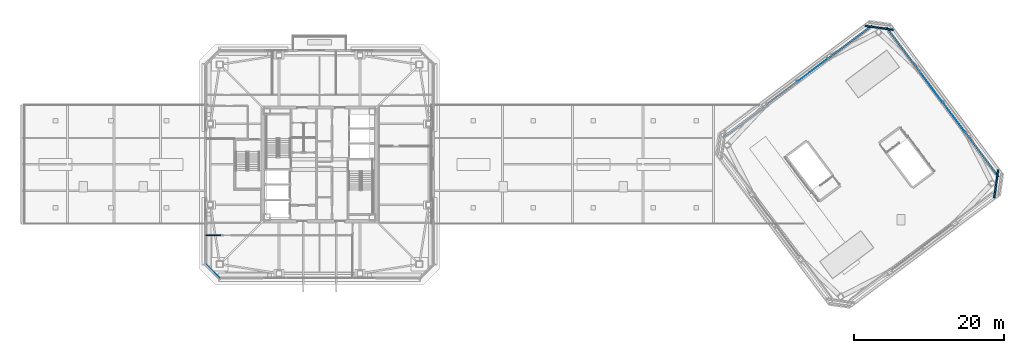
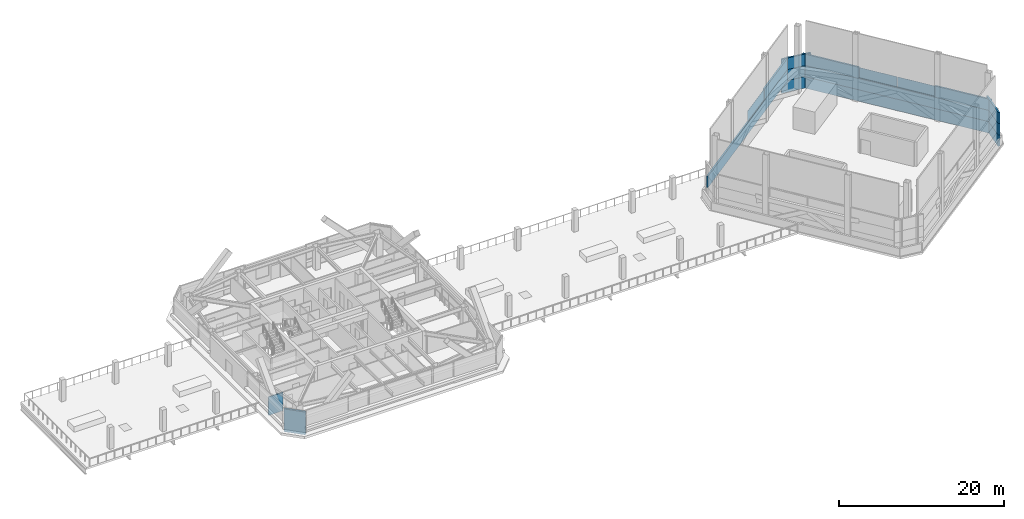
# One storey, part 26 of 37: 15 plates, 2 walls, 2 elements without a shape of their own.
"""IFC4 building model written with IfcOpenShell, lengths in metres."""

import ifcopenshell
import ifcopenshell.guid

model = None  # the IFC model being written
_history = None  # IfcOwnerHistory: only IFC2X3 demands one
_inside = {}  # id of a spatial element -> (the spatial element, [elements in it])
_under = {}  # id of a project, library or spatial element -> (it, [spatial elements below it])
_declared = {}  # id of a project -> (the project, [libraries it declares])
_typed = {}  # id of a type object -> (the type object, [elements of that type])
_made_of = {}  # id of a material, layer set ... -> (it, [elements and type objects made of it])


def new_model(schema):
    """Start an empty IFC model of exactly this schema.

    Asked for "IFC4X3", IfcOpenShell would pick the latest addendum, in which some entities
    have other attributes; the version numbers below select the first issue.
    IFC2X3 requires an IfcOwnerHistory on every rooted entity: one is made here for all.
    """
    global model, _history
    if schema == "IFC4X3":
        model = ifcopenshell.file(schema_version=(4, 3, 0, 0))
    else:
        model = ifcopenshell.file(schema=schema)
    _inside.clear()
    _under.clear()
    _declared.clear()
    _typed.clear()
    _made_of.clear()
    _history = None
    if model.schema == "IFC2X3":
        org = make("IfcOrganization", Name="unknown")
        user = make(
            "IfcPersonAndOrganization",
            ThePerson=make("IfcPerson", FamilyName="unknown"),
            TheOrganization=org,
        )
        app = make(
            "IfcApplication",
            ApplicationDeveloper=org,
            Version="unknown",
            ApplicationFullName="unknown",
            ApplicationIdentifier="unknown",
        )
        _history = make(
            "IfcOwnerHistory",
            OwningUser=user,
            OwningApplication=app,
            ChangeAction="ADDED",
            CreationDate=0,
        )
    return model


def make(cls, **values):
    """One entity of the class cls with the attributes given. An attribute that is None is left unset."""
    return model.create_entity(
        cls, **{name: value for name, value in values.items() if value is not None}
    )


def rooted(cls, **values):
    """An entity with a GlobalId (a new one), such as an element, a storey or a relation."""
    return make(cls, GlobalId=ifcopenshell.guid.new(), OwnerHistory=_history, **values)


def si_unit(unit_type, name, prefix=None):
    """IfcSIUnit, for example si_unit("LENGTHUNIT", "METRE", prefix="MILLI")."""
    return make("IfcSIUnit", UnitType=unit_type, Prefix=prefix, Name=name)


def assignment(units):
    """IfcUnitAssignment: the units of a project."""
    return None if units is None else make("IfcUnitAssignment", Units=units)


def point(xyz):
    """IfcCartesianPoint."""
    return None if xyz is None else make("IfcCartesianPoint", Coordinates=xyz)


def direction(xyz):
    """IfcDirection."""
    return None if xyz is None else make("IfcDirection", DirectionRatios=xyz)


def frame(location, z_axis=None, x_axis=None):
    """IfcAxis2Placement3D, a coordinate frame: its origin and axes. An axis left out is left unset."""
    return make(
        "IfcAxis2Placement3D",
        Location=point(location),
        Axis=direction(z_axis),
        RefDirection=direction(x_axis),
    )


def frame_2d(location, x_axis=None):
    """IfcAxis2Placement2D, a coordinate frame in the plane: its origin and x axis."""
    return make(
        "IfcAxis2Placement2D", Location=point(location), RefDirection=direction(x_axis)
    )


def origin():
    """The frame at (0, 0, 0) with its axes left unset."""
    return frame((0.0, 0.0, 0.0))


def origin_2d():
    """The frame at (0, 0) in the plane with its x axis left unset."""
    return frame_2d((0.0, 0.0))


def place(relative_to, where):
    """IfcLocalPlacement: puts the frame where relative to a parent placement (None: the world)."""
    return make(
        "IfcLocalPlacement", PlacementRelTo=relative_to, RelativePlacement=where
    )


def context(
    kind, dimensions, precision=None, world=None, true_north=None, identifier=None
):
    """IfcGeometricRepresentationContext, for example the 3D "Model" context."""
    return make(
        "IfcGeometricRepresentationContext",
        ContextIdentifier=identifier,
        ContextType=kind,
        CoordinateSpaceDimension=dimensions,
        Precision=precision,
        WorldCoordinateSystem=world,
        TrueNorth=true_north,
    )


def subcontext(parent, identifier, kind, view, scale=None):
    """IfcGeometricRepresentationSubContext, for example "Body" below "Model"."""
    return make(
        "IfcGeometricRepresentationSubContext",
        ContextIdentifier=identifier,
        ContextType=kind,
        ParentContext=parent,
        TargetScale=scale,
        TargetView=view,
    )


def project(units=None, contexts=None):
    """IfcProject with its units and contexts."""
    return rooted(
        "IfcProject",
        Name="project",
        RepresentationContexts=contexts,
        UnitsInContext=assignment(units),
    )


def spatial(cls, under=None, at=None, **own):
    """A site, building, storey or space (cls), placed at a placement, below another one or the project."""
    s = rooted(cls, ObjectPlacement=at, **own)
    if under is not None:
        _under.setdefault(under.id(), (under, []))[1].append(s)
    return s


def profile(cls, at=None, kind="AREA", **sizes):
    """A parametric profile (cls). Its sizes go by their IFC names, for example OverallWidth=200.0."""
    return make(cls, ProfileType=kind, Position=at, **sizes)


def rectangle(**sizes):
    """IfcRectangleProfileDef."""
    return profile("IfcRectangleProfileDef", **sizes)


def extrude(swept, where, along, depth):
    """IfcExtrudedAreaSolid: the profile swept, set in the frame where, extruded along a direction by depth."""
    return make(
        "IfcExtrudedAreaSolid",
        SweptArea=swept,
        Position=where,
        ExtrudedDirection=direction(along),
        Depth=depth,
    )


def shape(context_of_items, identifier, shape_type, items):
    """IfcShapeRepresentation: the items that make up one representation, for example the "Body"."""
    return make(
        "IfcShapeRepresentation",
        ContextOfItems=context_of_items,
        RepresentationIdentifier=identifier,
        RepresentationType=shape_type,
        Items=items,
    )


def material(Name=None, Category=None):
    """IfcMaterial."""
    return make("IfcMaterial", Name=Name, Category=Category)


def layer(
    of_material, thickness, ventilated=None, Name=None, Category=None, Priority=None
):
    """IfcMaterialLayer: one layer of a wall or slab, of a material (None: an air gap)."""
    return make(
        "IfcMaterialLayer",
        Material=of_material,
        LayerThickness=thickness,
        IsVentilated=ventilated,
        Name=Name,
        Category=Category,
        Priority=Priority,
    )


def layer_set(layers, Name=None):
    """IfcMaterialLayerSet."""
    return make("IfcMaterialLayerSet", MaterialLayers=layers, LayerSetName=Name)


def made_of(thing, what):
    """Note that an element or type object is made of a material, layer set ...; save() writes the relation."""
    if what is not None:
        _made_of.setdefault(what.id(), (what, []))[1].append(thing)
    return thing


def type_object(cls, material=None, **own):
    """A type object (cls), such as IfcWallType, which elements share."""
    return made_of(rooted(cls, **own), material)


def element(
    cls,
    number,
    at=None,
    inside=None,
    cuts=None,
    type_object=None,
    material=None,
    context=None,
    identifier="Body",
    shape_type=None,
    held_by="IfcProductDefinitionShape",
    body=None,
    shapes=None,
    **own,
):
    """One element of the class cls, such as IfcWall. Its Tag is "e" and its number.

    at: its placement. inside: the storey or other place that contains it. cuts: it is an
    opening in that element (IfcRelVoidsElement). A single representation is given by context,
    identifier, shape_type and body (its items); several are given by shapes. held_by: the class
    of the entity that holds the representations. save() writes the other relations.
    """
    e = rooted(cls, Tag="e%d" % number, ObjectPlacement=at, **own)
    if body is not None:
        shapes = [shape(context, identifier, shape_type, body)]
    if shapes is not None:
        e.Representation = make(held_by, Representations=shapes)
    if inside is not None:
        _inside.setdefault(inside.id(), (inside, []))[1].append(e)
    if cuts is not None:
        rooted(
            "IfcRelVoidsElement", RelatingBuildingElement=cuts, RelatedOpeningElement=e
        )
    if type_object is not None:
        _typed.setdefault(type_object.id(), (type_object, []))[1].append(e)
    return made_of(e, material)


def aggregate(whole, parts):
    """IfcRelAggregates: a whole, such as a stair, and the parts it consists of."""
    return rooted("IfcRelAggregates", RelatingObject=whole, RelatedObjects=parts)


def save(model, path):
    """Write the relations noted so far, then the file.

    IfcRelAggregates (storeys below a building ...), IfcRelContainedInSpatialStructure (elements
    in a storey), IfcRelDefinesByType, IfcRelAssociatesMaterial and IfcRelDeclares: one each for
    every whole, place, type object, material and project.
    """
    for whole, parts in _under.values():
        aggregate(whole, parts)
    for where, things in _inside.values():
        rooted(
            "IfcRelContainedInSpatialStructure",
            RelatedElements=things,
            RelatingStructure=where,
        )
    for kind, things in _typed.values():
        rooted("IfcRelDefinesByType", RelatedObjects=things, RelatingType=kind)
    for what, things in _made_of.values():
        rooted("IfcRelAssociatesMaterial", RelatedObjects=things, RelatingMaterial=what)
    for by, libraries in _declared.values():
        rooted("IfcRelDeclares", RelatingContext=by, RelatedDefinitions=libraries)
    model.write(path)


model = new_model("IFC4")

# Units and contexts
model_context = context("Model", 3, precision=1e-05, world=origin(), true_north=direction((0.0, 1.0)))
body_context = subcontext(model_context, "Body", "Model", "MODEL_VIEW")
ifc_project = project(units=[si_unit("LENGTHUNIT", "METRE"), si_unit("AREAUNIT", "SQUARE_METRE"), si_unit("VOLUMEUNIT", "CUBIC_METRE"), si_unit("PLANEANGLEUNIT", "RADIAN"), si_unit("MASSUNIT", "GRAM", prefix="KILO")], contexts=[model_context])

# Site, building, storey
site_placement = place(None, origin())
site = spatial("IfcSite", under=ifc_project, at=site_placement, CompositionType="ELEMENT")
building_placement = place(site_placement, origin())
building = spatial("IfcBuilding", under=site, at=building_placement, Name="Tashvorn Skyway Center", CompositionType="ELEMENT")
storey_placement = place(building_placement, frame((0.0, 0.0, 263.39990234375)))
storey = spatial("IfcBuildingStorey", under=building, at=storey_placement, Name="L71", CompositionType="ELEMENT", Elevation=263.39990234375)

# Curtain wall, plates
ifc_material_1 = material(Name="Thermally broken bronze-anodized aluminium 6063-T6", Category="aluminium")
curtain_wall_type = type_object("IfcCurtainWallType", Name="CW-CW-SKY", PredefinedType="NOTDEFINED", material=ifc_material_1)
curtain_wall_1_placement = place(storey_placement, origin())
curtain_wall_1 = element("IfcCurtainWall", 1, at=curtain_wall_1_placement, inside=storey, type_object=curtain_wall_type, Name="CROWN Lantern Fritted Curtain Wall T2 E-3", PredefinedType="NOTDEFINED")
ifc_material_2 = material(Name="Low-E solar-control double insulating safety glass", Category="glass")
ifc_layer_1 = layer(ifc_material_2, 0.028076171875)
ifc_layer_set_1 = layer_set([ifc_layer_1], Name="Low-E solar-control double insulating safety glass")
plate_type_1 = type_object("IfcPlateType", Name="CWP-CW-SKY", PredefinedType="CURTAIN_PANEL", material=ifc_layer_set_1)
plate_1_placement = place(storey_placement, frame((123.55078125, 42.299072265625, 3.39501953125), z_axis=(0.0, 0.0, 1.0), x_axis=(0.600000000002, -0.799999999998, 0.0)))
plate_1 = element("IfcPlate", 2, at=plate_1_placement, type_object=plate_type_1, Name="CW-SKY panel 1.1", PredefinedType="CURTAIN_PANEL", context=body_context, shape_type="SweptSolid", body=[
    extrude(rectangle(XDim=4.952392578125, YDim=0.028076171875, at=origin_2d()), origin(), (0.0, 0.0, 1.0), 1.534912109375),
])
plate_2_placement = place(storey_placement, frame((126.561279296875, 38.284912109375, 3.39501953125), z_axis=(0.0, 0.0, 1.0), x_axis=(0.600000000002, -0.799999999998, 0.0)))
plate_2 = element("IfcPlate", 3, at=plate_2_placement, type_object=plate_type_1, Name="CW-SKY panel 2.1", PredefinedType="CURTAIN_PANEL", context=body_context, shape_type="SweptSolid", body=[
    extrude(rectangle(XDim=4.952392578125, YDim=0.028076171875, at=origin_2d()), origin(), (0.0, 0.0, 1.0), 1.534912109375),
])
aggregate(curtain_wall_1, [plate_1, plate_2])

# Curtain wall, plate
curtain_wall_2_placement = place(storey_placement, origin())
curtain_wall_2 = element("IfcCurtainWall", 4, at=curtain_wall_2_placement, inside=storey, type_object=curtain_wall_type, Name="CROWN Lantern Fritted Curtain Wall T2 N-3", PredefinedType="NOTDEFINED")
plate_3_placement = place(storey_placement, frame((107.715087890625, 44.561279296875, 3.39501953125), z_axis=(0.0, 0.0, 1.0), x_axis=(0.799999999998, 0.600000000002, 0.0)))
plate_3 = element("IfcPlate", 5, at=plate_3_placement, type_object=plate_type_1, Name="CW-SKY panel 2.1", PredefinedType="CURTAIN_PANEL", context=body_context, shape_type="SweptSolid", body=[
    extrude(rectangle(XDim=4.952392578125, YDim=0.028076171875, at=origin_2d()), origin(), (0.0, 0.0, 1.0), 1.534912109375),
])
aggregate(curtain_wall_2, [plate_3])

# Plates
ifc_material_3 = material(Name="Perforated ceramic-coated bronze aluminium solar screen", Category="aluminium")
ifc_layer_2 = layer(ifc_material_3, 0.219970703125)
ifc_layer_set_2 = layer_set([ifc_layer_2], Name="Perforated ceramic-coated bronze aluminium solar screen")
plate_type_2 = type_object("IfcPlateType", Name="PLT-CROWN-SCREEN", PredefinedType="USERDEFINED", material=ifc_layer_set_2)
for number, where, z_axis, x_axis, name in (
    (6, (125.055908203125, 40.2919921875, -0.02001953125), (0.0, 0.0, 1.0), (-0.600000004945, 0.799999996291, 0.0), "CROWN Perforated Ceramic-Metal Solar Screen Panel T2 E-1"),
    (7, (125.055908203125, 40.2919921875, 1.64501953125), (0.0, 0.0, 1.0), (-0.600000004945, 0.799999996291, 0.0), "CROWN Perforated Ceramic-Metal Solar Screen Panel T2 E-2"),
):
    element("IfcPlate", number, at=place(storey_placement, frame(where, z_axis=z_axis, x_axis=x_axis)), inside=storey, type_object=plate_type_2, Name=name, ObjectType="SOLAR SCREEN", PredefinedType="USERDEFINED", context=body_context, shape_type="SweptSolid", body=[
        extrude(rectangle(XDim=24.89990234375, YDim=0.219970703125, at=origin_2d()), origin(), (0.0, 0.0, 1.0), 1.705078125),
    ])
for number, where, z_axis, x_axis, name in (
    (8, (119.821044921875, 47.27197265625, 3.31005859375), (0.0, 0.0, 1.0), (-0.600000004945, 0.799999996291, 0.0), "CROWN Solar Screen Flanking Panel T2 E-3L"),
    (9, (130.291015625, 33.31201171875, 3.31005859375), (0.0, 0.0, 1.0), (-0.600000004945, 0.799999996291, 0.0), "CROWN Solar Screen Flanking Panel T2 E-3R"),
):
    element("IfcPlate", number, at=place(storey_placement, frame(where, z_axis=z_axis, x_axis=x_axis)), inside=storey, type_object=plate_type_2, Name=name, ObjectType="SOLAR SCREEN", PredefinedType="USERDEFINED", context=body_context, shape_type="SweptSolid", body=[
        extrude(rectangle(XDim=7.449951171875, YDim=0.219970703125, at=origin_2d()), origin(), (0.0, 0.0, 1.0), 1.705078125),
    ])
plate_4_placement = place(storey_placement, frame((105.7080078125, 43.055908203125, 1.64501953125), z_axis=(0.0, 0.0, 1.0), x_axis=(-0.799999996291, -0.600000004945, 0.0)))
element("IfcPlate", 10, at=plate_4_placement, inside=storey, type_object=plate_type_2, Name="CROWN Perforated Ceramic-Metal Solar Screen Panel T2 N-2", ObjectType="SOLAR SCREEN", PredefinedType="USERDEFINED", context=body_context, shape_type="SweptSolid", body=[
    extrude(rectangle(XDim=24.89990234375, YDim=0.219970703125, at=origin_2d()), origin(), (0.0, 0.0, 1.0), 1.705078125),
])
plate_5_placement = place(storey_placement, frame((112.68798828125, 48.291015625, 3.31005859375), z_axis=(0.0, 0.0, 1.0), x_axis=(-0.799999996291, -0.600000004945, 0.0)))
element("IfcPlate", 11, at=plate_5_placement, inside=storey, type_object=plate_type_2, Name="CROWN Solar Screen Flanking Panel T2 N-3R", ObjectType="SOLAR SCREEN", PredefinedType="USERDEFINED", context=body_context, shape_type="SweptSolid", body=[
    extrude(rectangle(XDim=7.449951171875, YDim=0.219970703125, at=origin_2d()), origin(), (0.0, 0.0, 1.0), 1.705078125),
])
for number, where, z_axis, x_axis, name in (
    (12, (132.193115234375, 29.40087890625, -0.02001953125), (0.0, 0.0, 1.0), (0.141421350118, 0.989949494535, 0.0), "CROWN Perforated Ceramic-Metal Solar Screen Chamfer Panel T2 SE-1"),
    (13, (132.193115234375, 29.40087890625, 1.64501953125), (0.0, 0.0, 1.0), (0.141421350118, 0.989949494535, 0.0), "CROWN Perforated Ceramic-Metal Solar Screen Chamfer Panel T2 SE-2"),
    (14, (132.193115234375, 29.40087890625, 3.31005859375), (0.0, 0.0, 1.0), (0.141421350118, 0.989949494535, 0.0), "CROWN Perforated Ceramic-Metal Solar Screen Chamfer Panel T2 SE-3"),
    (15, (116.59912109375, 50.193115234375, -0.02001953125), (0.0, 0.0, 1.0), (0.989949494535, -0.141421350118, 0.0), "CROWN Perforated Ceramic-Metal Solar Screen Chamfer Panel T2 NE-1"),
    (16, (116.59912109375, 50.193115234375, 1.64501953125), (0.0, 0.0, 1.0), (0.989949494535, -0.141421350118, 0.0), "CROWN Perforated Ceramic-Metal Solar Screen Chamfer Panel T2 NE-2"),
    (17, (116.59912109375, 50.193115234375, 3.31005859375), (0.0, 0.0, 1.0), (0.989949494535, -0.141421350118, 0.0), "CROWN Perforated Ceramic-Metal Solar Screen Chamfer Panel T2 NE-3"),
):
    element("IfcPlate", number, at=place(storey_placement, frame(where, z_axis=z_axis, x_axis=x_axis)), inside=storey, type_object=plate_type_2, Name=name, ObjectType="SOLAR SCREEN", PredefinedType="USERDEFINED", context=body_context, shape_type="SweptSolid", body=[
        extrude(rectangle(XDim=3.795654296875, YDim=0.219970703125, at=origin_2d()), origin(), (0.0, 0.0, 1.0), 1.705078125),
    ])

# Walls
ifc_material_4 = material(Name="Precast concrete C40/50", Category="concrete")
ifc_layer_3 = layer(ifc_material_4, 0.280029296875)
ifc_layer_set_3 = layer_set([ifc_layer_3], Name="Precast concrete C40/50")
wall_type_1 = type_object("IfcWallType", Name="WALL-EXT-280", PredefinedType="SOLIDWALL", material=ifc_layer_set_3)
wall_1_placement = place(storey_placement, frame((28.699951171875, 16.800048828125, 0.0), z_axis=(0.0, 0.0, 1.0), x_axis=(-0.707106781187, 0.707106781187, 0.0)))
element("IfcWall", 18, at=wall_1_placement, inside=storey, type_object=wall_type_1, Name="Tower 1 L71 SW Precast Chamfer Wall", PredefinedType="SOLIDWALL", context=body_context, shape_type="SweptSolid", body=[
    extrude(rectangle(XDim=2.686767578125, YDim=0.280029296875, at=frame_2d((1.34326171875, 0.0))), origin(), (0.0, 0.0, 1.0), 3.3701171875),
])
ifc_material_5 = material(Name="Gypsum board on cold-formed steel stud framing", Category="steel")
ifc_layer_4 = layer(ifc_material_5, 0.135009765625)
ifc_layer_set_4 = layer_set([ifc_layer_4], Name="Gypsum board on cold-formed steel stud framing")
wall_type_2 = type_object("IfcWallType", Name="WALL-PART-135", PredefinedType="PARTITIONING", material=ifc_layer_set_4)
wall_2_placement = place(storey_placement, frame((26.820068359375, 22.550048828125, 0.0), z_axis=(0.0, 0.0, 1.0), x_axis=(1.0, 0.0, 0.0)))
element("IfcWall", 19, at=wall_2_placement, inside=storey, type_object=wall_type_2, Name="Tower 1 L71 South-West Suite North Wall", PredefinedType="PARTITIONING", context=body_context, shape_type="SweptSolid", body=[
    extrude(rectangle(XDim=2.030029296875, YDim=0.135009765625, at=frame_2d((1.01513671875, 0.0))), origin(), (0.0, 0.0, 1.0), 2.72314453125),
])

save(model, "model.ifc")
